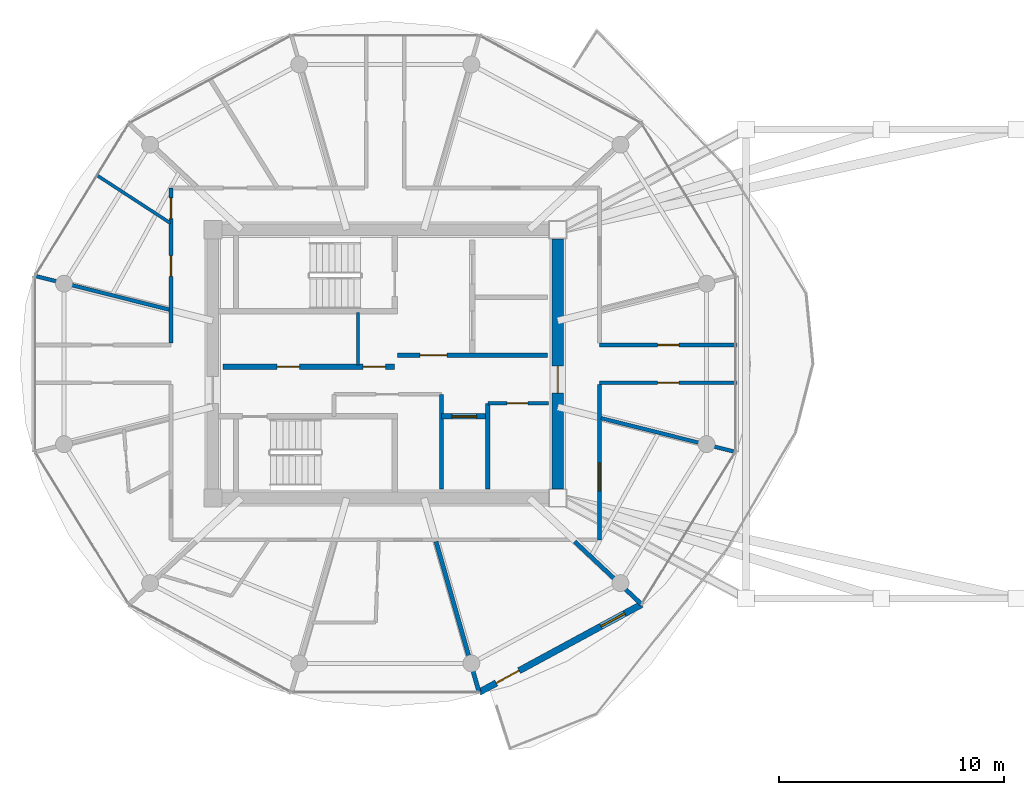
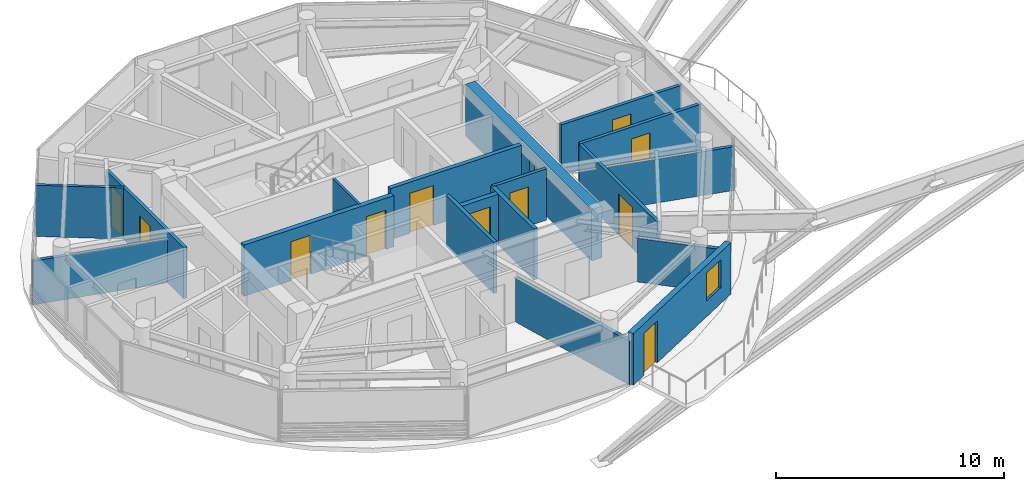
# One storey, part 14 of 23: 18 walls, 12 doors, 1 window, 13 openings.
"""IFC4 building model written with IfcOpenShell, lengths in metres."""

from ifc_helpers import new_model, si_unit, direction, frame, frame_2d, origin, place, context, subcontext, project, spatial, rectangle, extrude, source, transform, mapped, material, layer, layer_set, type_object, type_shapes, element, fill, save


model = new_model("IFC4")

# Units and contexts
model_context = context("Model", 3, precision=1e-05, world=origin(), true_north=direction((0.0, 1.0)))
body_context = subcontext(model_context, "Body", "Model", "MODEL_VIEW")
ifc_project = project(units=[si_unit("LENGTHUNIT", "METRE"), si_unit("AREAUNIT", "SQUARE_METRE"), si_unit("VOLUMEUNIT", "CUBIC_METRE"), si_unit("PLANEANGLEUNIT", "RADIAN"), si_unit("MASSUNIT", "GRAM", prefix="KILO")], contexts=[model_context])

# Site, building, storey
site_placement = place(None, origin())
site = spatial("IfcSite", under=ifc_project, at=site_placement, CompositionType="ELEMENT")
building_placement = place(site_placement, origin())
building = spatial("IfcBuilding", under=site, at=building_placement, Name="Norrkilde Senior Care Towers", CompositionType="ELEMENT")
storey_placement = place(building_placement, frame((0.0, 0.0, 196.75)))
storey = spatial("IfcBuildingStorey", under=building, at=storey_placement, Name="L61", CompositionType="ELEMENT", Elevation=196.75)

# Wall, opening, door
ifc_material_1 = material(Name="Concrete C50/60", Category="concrete")
ifc_layer_1 = layer(ifc_material_1, 0.52001953125)
ifc_layer_set_1 = layer_set([ifc_layer_1], Name="Concrete C50/60")
wall_type_1 = type_object("IfcWallType", Name="Core Shear Wall Z4 520", PredefinedType="SHEAR", material=ifc_layer_set_1)
shared_shape_1 = source(origin(), body_context, "Body", "SweptSolid", [
    extrude(rectangle(XDim=11.10009765625, YDim=0.52001953125, at=frame_2d((5.550048828125, 0.0))), origin(), (0.0, 0.0, 1.0), 2.760009765625),
])
type_shapes(wall_type_1, [shared_shape_1])
wall_1_placement = place(storey_placement, frame((-20.35009765625, 5.550048828125, 0.0), z_axis=(0.0, 0.0, 1.0), x_axis=(0.0, -1.0, 0.0)))
wall_1 = element("IfcWall", 1, at=wall_1_placement, inside=storey, type_object=wall_type_1, Name="L61 Core W East Shear Wall", PredefinedType="SHEAR", context=body_context, shape_type="MappedRepresentation", body=[
    mapped(shared_shape_1, transform((0.0, 0.0, 0.0), x_axis=(1.0, 0.0, 0.0), y_axis=(0.0, 1.0, 0.0), z_axis=(0.0, 0.0, 1.0), scale=1.0)),
])
opening_1_placement = place(wall_1_placement, frame((5.64990234375, 0.0, 0.0)))
opening_1 = element("IfcOpeningElement", 2, at=opening_1_placement, cuts=wall_1, Name="Opening D-04", PredefinedType="OPENING", context=body_context, shape_type="SweptSolid", body=[
    extrude(rectangle(XDim=1.199951171875, YDim=2.14990234375, at=frame_2d((0.60009765625, 1.074951171875))), frame((0.0, 0.27001953125, 0.0), z_axis=(0.0, -1.0, 0.0), x_axis=(1.0, 0.0, 0.0)), (0.0, 0.0, 1.0), 0.5400390625),
])
ifc_material_2 = material(Name="Galvanised Painted Steel", Category="steel")
door_type_1 = type_object("IfcDoorType", Name="Firefighting Lobby Fire Door 1200x2150", OperationType="NOTDEFINED", PredefinedType="DOOR", material=ifc_material_2)
shared_shape_2 = source(origin(), body_context, "Body", "SweptSolid", [
    extrude(rectangle(XDim=1.199951171875, YDim=2.14990234375, at=frame_2d((0.60009765625, 1.074951171875))), frame((0.0, 0.02490234375, 0.0), z_axis=(0.0, -1.0, 0.0), x_axis=(1.0, 0.0, 0.0)), (0.0, 0.0, 1.0), 0.050048828125),
])
type_shapes(door_type_1, [shared_shape_2])
door_1_placement = place(opening_1_placement, frame((1.199951171875, 0.0, 0.0), z_axis=(0.0, 0.0, 1.0), x_axis=(-1.0, 0.0, 0.0)))
door_1 = element("IfcDoor", 3, at=door_1_placement, inside=storey, type_object=door_type_1, Name="L61 Core W East Portal Door", OperationType="SINGLE_SWING_RIGHT", OverallHeight=2.14990234375, OverallWidth=1.199951171875, PredefinedType="DOOR", context=body_context, shape_type="MappedRepresentation", body=[
    mapped(shared_shape_2, transform((0.0, 0.0, 0.0), x_axis=(1.0, 0.0, 0.0), y_axis=(0.0, 1.0, 0.0), z_axis=(0.0, 0.0, 1.0), scale=1.0)),
])
fill(opening_1, door_1)

# Wall, openings, door, window
ifc_material_3 = material(Name="Precast concrete C45/55", Category="concrete")
ifc_layer_2 = layer(ifc_material_3, 0.2900390625)
ifc_layer_set_2 = layer_set([ifc_layer_2], Name="Precast concrete C45/55")
wall_type_2 = type_object("IfcWallType", Name="Winter Garden Facade Wall 290", PredefinedType="SOLIDWALL", material=ifc_layer_set_2)
shared_shape_3 = source(origin(), body_context, "Body", "SweptSolid", [
    extrude(rectangle(XDim=8.197265625, YDim=0.2900390625, at=frame_2d((4.0986328125, 0.0))), origin(), (0.0, 0.0, 1.0), 2.760009765625),
])
type_shapes(wall_type_2, [shared_shape_3])
wall_2_placement = place(storey_placement, frame((-16.629638671875, -10.6630859375, 0.0), z_axis=(0.0, 0.0, 1.0), x_axis=(-0.879369910001, -0.476139224791, 0.0)))
wall_2 = element("IfcWall", 4, at=wall_2_placement, inside=storey, type_object=wall_type_2, Name="L61 Drum W Balcony Access Wall 09", PredefinedType="SOLIDWALL", context=body_context, shape_type="MappedRepresentation", body=[
    mapped(shared_shape_3, transform((0.0, 0.0, 0.0), x_axis=(1.0, 0.0, 0.0), y_axis=(0.0, 1.0, 0.0), z_axis=(0.0, 0.0, 1.0), scale=1.0)),
])
opening_2_placement = place(wall_2_placement, frame((6.179931640625, 0.0, 0.0)))
opening_2 = element("IfcOpeningElement", 5, at=opening_2_placement, cuts=wall_2, Name="Opening D-09", PredefinedType="OPENING", context=body_context, shape_type="SweptSolid", body=[
    extrude(rectangle(XDim=1.14990234375, YDim=2.25, at=frame_2d((0.574951171875, 1.125))), frame((0.0, 0.155029296875, 0.0), z_axis=(0.0, -1.0, 0.0), x_axis=(1.0, 0.0, 0.0)), (0.0, 0.0, 1.0), 0.31005859375),
])
opening_3_placement = place(wall_2_placement, frame((0.85009765625, 0.0, 0.85009765625)))
opening_3 = element("IfcOpeningElement", 6, at=opening_3_placement, cuts=wall_2, Name="Opening WN-07", PredefinedType="OPENING", context=body_context, shape_type="SweptSolid", body=[
    extrude(rectangle(XDim=1.199951171875, YDim=1.5, at=frame_2d((0.60009765625, 0.75))), frame((0.0, 0.155029296875, 0.0), z_axis=(0.0, -1.0, 0.0), x_axis=(1.0, 0.0, 0.0)), (0.0, 0.0, 1.0), 0.31005859375),
])
ifc_material_4 = material(Name="Anodised Aluminium", Category="aluminium")
door_type_2 = type_object("IfcDoorType", Name="Terrace and Balcony Glazed Door 1150x2250", OperationType="NOTDEFINED", PredefinedType="DOOR", material=ifc_material_4)
shared_shape_4 = source(origin(), body_context, "Body", "SweptSolid", [
    extrude(rectangle(XDim=1.14990234375, YDim=2.25, at=frame_2d((0.574951171875, 1.125))), frame((0.0, 0.02490234375, 0.0), z_axis=(0.0, -1.0, 0.0), x_axis=(1.0, 0.0, 0.0)), (0.0, 0.0, 1.0), 0.050048828125),
])
type_shapes(door_type_2, [shared_shape_4])
door_2_placement = place(opening_2_placement, origin())
door_2 = element("IfcDoor", 7, at=door_2_placement, inside=storey, type_object=door_type_2, Name="L61 Drum W Outdoor Terrace Door 09", OperationType="SINGLE_SWING_RIGHT", OverallHeight=2.25, OverallWidth=1.14990234375, PredefinedType="DOOR", context=body_context, shape_type="MappedRepresentation", body=[
    mapped(shared_shape_4, transform((0.0, 0.0, 0.0), x_axis=(1.0, 0.0, 0.0), y_axis=(0.0, 1.0, 0.0), z_axis=(0.0, 0.0, 1.0), scale=1.0)),
])
fill(opening_2, door_2)
ifc_material_5 = material(Name="Triple Low-E Insulated Glazing", Category="glass")
window_type = type_object("IfcWindowType", Name="Stairwell Smoke Vent Window 1200x1500", PartitioningType="SINGLE_PANEL", PredefinedType="WINDOW", material=ifc_material_5)
shared_shape_5 = source(origin(), body_context, "Body", "SweptSolid", [
    extrude(rectangle(XDim=1.199951171875, YDim=1.5, at=frame_2d((0.60009765625, 0.75))), frame((0.0, 0.030029296875, 0.0), z_axis=(0.0, -1.0, 0.0), x_axis=(1.0, 0.0, 0.0)), (0.0, 0.0, 1.0), 0.06005859375),
])
type_shapes(window_type, [shared_shape_5])
window_placement = place(opening_3_placement, origin())
window = element("IfcWindow", 8, at=window_placement, inside=storey, type_object=window_type, Name="L61 Drum W Winter Garden Window 09", OverallHeight=1.5, OverallWidth=1.199951171875, PartitioningType="SINGLE_PANEL", PredefinedType="WINDOW", context=body_context, shape_type="MappedRepresentation", body=[
    mapped(shared_shape_5, transform((0.0, 0.0, 0.0), x_axis=(1.0, 0.0, 0.0), y_axis=(0.0, 1.0, 0.0), z_axis=(0.0, 0.0, 1.0), scale=1.0)),
])
fill(opening_3, window)

# Wall, opening, door
ifc_material_6 = material(Name="Concrete C45/55", Category="concrete")
ifc_layer_3 = layer(ifc_material_6, 0.2099609375)
ifc_layer_set_3 = layer_set([ifc_layer_3], Name="Concrete C45/55")
wall_type_3 = type_object("IfcWallType", Name="Firefighting Lobby Wall 210", PredefinedType="PARTITIONING", material=ifc_layer_set_3)
shared_shape_6 = source(origin(), body_context, "Body", "SweptSolid", [
    extrude(rectangle(XDim=6.659912109375, YDim=0.2099609375, at=frame_2d((3.330078125, 0.0))), origin(), (0.0, 0.0, 1.0), 2.7451171875),
])
type_shapes(wall_type_3, [shared_shape_6])
wall_3_placement = place(storey_placement, frame((-27.4599609375, 0.389892578125, 0.0), z_axis=(0.0, 0.0, 1.0), x_axis=(1.0, 0.0, 0.0)))
wall_3 = element("IfcWall", 9, at=wall_3_placement, inside=storey, type_object=wall_type_3, Name="WL-INT-L61-W-FFLS", PredefinedType="PARTITIONING", context=body_context, shape_type="MappedRepresentation", body=[
    mapped(shared_shape_6, transform((0.0, 0.0, 0.0), x_axis=(1.0, 0.0, 0.0), y_axis=(0.0, 1.0, 0.0), z_axis=(0.0, 0.0, 1.0), scale=1.0)),
])
opening_4_placement = place(wall_3_placement, frame((1.0, 0.0, 0.0)))
opening_4 = element("IfcOpeningElement", 10, at=opening_4_placement, cuts=wall_3, Name="Opening D-04", PredefinedType="OPENING", context=body_context, shape_type="SweptSolid", body=[
    extrude(rectangle(XDim=1.199951171875, YDim=2.14990234375, at=frame_2d((0.60009765625, 1.074951171875))), frame((0.0, 0.114990234375, 0.0), z_axis=(0.0, -1.0, 0.0), x_axis=(1.0, 0.0, 0.0)), (0.0, 0.0, 1.0), 0.22998046875),
])
door_3_placement = place(opening_4_placement, frame((1.199951171875, 0.0, 0.0), z_axis=(0.0, 0.0, 1.0), x_axis=(-1.0, 0.0, 0.0)))
door_3 = element("IfcDoor", 11, at=door_3_placement, inside=storey, type_object=door_type_1, Name="L61 Firefighting Lobby W Door", OperationType="SINGLE_SWING_LEFT", OverallHeight=2.14990234375, OverallWidth=1.199951171875, PredefinedType="DOOR", context=body_context, shape_type="MappedRepresentation", body=[
    mapped(shared_shape_2, transform((0.0, 0.0, 0.0), x_axis=(1.0, 0.0, 0.0), y_axis=(0.0, 1.0, 0.0), z_axis=(0.0, 0.0, 1.0), scale=1.0)),
])
fill(opening_4, door_3)

# Wall, openings, doors
ifc_layer_4 = layer(ifc_material_6, 0.239990234375)
ifc_layer_set_4 = layer_set([ifc_layer_4], Name="Concrete C45/55")
wall_type_4 = type_object("IfcWallType", Name="Lift and Plant Rated Enclosure Partition 240", PredefinedType="PARTITIONING", material=ifc_layer_set_4)
shared_shape_7 = source(origin(), body_context, "Body", "SweptSolid", [
    extrude(rectangle(XDim=7.619873046875, YDim=0.239990234375, at=frame_2d((3.81005859375, 0.0))), origin(), (0.0, 0.0, 1.0), 2.7451171875),
])
wall_4_placement = place(storey_placement, frame((-35.199951171875, -0.1298828125, 0.0), z_axis=(0.0, 0.0, 1.0), x_axis=(1.0, 0.0, 0.0)))
wall_4 = element("IfcWall", 12, at=wall_4_placement, inside=storey, type_object=wall_type_4, Name="WL-INT-L61-W-PKAS", PredefinedType="PARTITIONING", context=body_context, shape_type="MappedRepresentation", body=[
    mapped(shared_shape_7, transform((0.0, 0.0, 0.0), x_axis=(1.0, 0.0, 0.0), y_axis=(0.0, 1.0, 0.0), z_axis=(0.0, 0.0, 1.0), scale=1.0)),
])
opening_5_placement = place(wall_4_placement, frame((6.219970703125, 0.0, 0.0)))
opening_5 = element("IfcOpeningElement", 13, at=opening_5_placement, cuts=wall_4, Name="Opening D-10", PredefinedType="OPENING", context=body_context, shape_type="SweptSolid", body=[
    extrude(rectangle(XDim=1.0, YDim=2.10009765625, at=frame_2d((0.5, 1.050048828125))), frame((0.0, 0.1298828125, 0.0), z_axis=(0.0, -1.0, 0.0), x_axis=(1.0, 0.0, 0.0)), (0.0, 0.0, 1.0), 0.260009765625),
])
opening_6_placement = place(wall_4_placement, frame((2.39990234375, 0.0, 0.0)))
opening_6 = element("IfcOpeningElement", 14, at=opening_6_placement, cuts=wall_4, Name="Opening D-10", PredefinedType="OPENING", context=body_context, shape_type="SweptSolid", body=[
    extrude(rectangle(XDim=1.0, YDim=2.10009765625, at=frame_2d((0.5, 1.050048828125))), frame((0.0, 0.1298828125, 0.0), z_axis=(0.0, -1.0, 0.0), x_axis=(1.0, 0.0, 0.0)), (0.0, 0.0, 1.0), 0.260009765625),
])
door_type_3 = type_object("IfcDoorType", Name="Plant and Riser Rated Door 1000x2100", OperationType="NOTDEFINED", PredefinedType="DOOR", material=ifc_material_2)
shared_shape_8 = source(origin(), body_context, "Body", "SweptSolid", [
    extrude(rectangle(XDim=1.0, YDim=2.10009765625, at=frame_2d((0.5, 1.050048828125))), frame((0.0, 0.02490234375, 0.0), z_axis=(0.0, -1.0, 0.0), x_axis=(1.0, 0.0, 0.0)), (0.0, 0.0, 1.0), 0.050048828125),
])
type_shapes(door_type_3, [shared_shape_8])
door_4_placement = place(opening_5_placement, frame((1.0, 0.0, 0.0), z_axis=(0.0, 0.0, 1.0), x_axis=(-1.0, 0.0, 0.0)))
door_4 = element("IfcDoor", 15, at=door_4_placement, inside=storey, type_object=door_type_3, Name="L61 Electrical Riser W Door", OperationType="SINGLE_SWING_LEFT", OverallHeight=2.10009765625, OverallWidth=1.0, PredefinedType="DOOR", context=body_context, shape_type="MappedRepresentation", body=[
    mapped(shared_shape_8, transform((0.0, 0.0, 0.0), x_axis=(1.0, 0.0, 0.0), y_axis=(0.0, 1.0, 0.0), z_axis=(0.0, 0.0, 1.0), scale=1.0)),
])
fill(opening_5, door_4)
door_5_placement = place(opening_6_placement, frame((1.0, 0.0, 0.0), z_axis=(0.0, 0.0, 1.0), x_axis=(-1.0, 0.0, 0.0)))
door_5 = element("IfcDoor", 16, at=door_5_placement, inside=storey, type_object=door_type_3, Name="L61 Clean Supply Store W Door", OperationType="SINGLE_SWING_LEFT", OverallHeight=2.10009765625, OverallWidth=1.0, PredefinedType="DOOR", context=body_context, shape_type="MappedRepresentation", body=[
    mapped(shared_shape_8, transform((0.0, 0.0, 0.0), x_axis=(1.0, 0.0, 0.0), y_axis=(0.0, 1.0, 0.0), z_axis=(0.0, 0.0, 1.0), scale=1.0)),
])
fill(opening_6, door_5)

# Walls
ifc_material_7 = material(Name="Gypsum Acoustic Board")
ifc_layer_5 = layer(ifc_material_7, 0.114990234375)
ifc_layer_set_5 = layer_set([ifc_layer_5], Name="Gypsum Acoustic Board")
wall_type_5 = type_object("IfcWallType", Name="Internal Room Partition 115", PredefinedType="PARTITIONING", material=ifc_layer_set_5)
shared_shape_9 = source(origin(), body_context, "Body", "SweptSolid", [
    extrude(rectangle(XDim=2.330078125, YDim=0.114990234375, at=frame_2d((1.1650390625, 0.0))), origin(), (0.0, 0.0, 1.0), 2.7451171875),
])
type_shapes(wall_type_5, [shared_shape_9])
wall_5_placement = place(storey_placement, frame((-29.2099609375, -0.050048828125, 0.0), z_axis=(0.0, 0.0, 1.0), x_axis=(0.0, 1.0, 0.0)))
element("IfcWall", 17, at=wall_5_placement, inside=storey, type_object=wall_type_5, Name="WL-INT-L61-W-RISW", PredefinedType="PARTITIONING", context=body_context, shape_type="MappedRepresentation", body=[
    mapped(shared_shape_9, transform((0.0, 0.0, 0.0), x_axis=(1.0, 0.0, 0.0), y_axis=(0.0, 1.0, 0.0), z_axis=(0.0, 0.0, 1.0), scale=1.0)),
])
ifc_layer_6 = layer(ifc_material_6, 0.199951171875)
ifc_layer_set_6 = layer_set([ifc_layer_6], Name="Concrete C45/55")
wall_type_6 = type_object("IfcWallType", Name="Shaft Division and Plant Partition 200", PredefinedType="PARTITIONING", material=ifc_layer_set_6)
shared_shape_10 = source(origin(), body_context, "Body", "SweptSolid", [
    extrude(rectangle(XDim=3.800048828125, YDim=0.199951171875, at=frame_2d((1.89990234375, 0.0))), origin(), (0.0, 0.0, 1.0), 2.7451171875),
])
type_shapes(wall_type_6, [shared_shape_10])
wall_6_placement = place(storey_placement, frame((-23.449951171875, -5.550048828125, 0.0), z_axis=(0.0, 0.0, 1.0), x_axis=(0.0, 1.0, 0.0)))
element("IfcWall", 18, at=wall_6_placement, inside=storey, type_object=wall_type_6, Name="WL-INT-L61-W-PKBE", PredefinedType="PARTITIONING", context=body_context, shape_type="MappedRepresentation", body=[
    mapped(shared_shape_10, transform((0.0, 0.0, 0.0), x_axis=(1.0, 0.0, 0.0), y_axis=(0.0, 1.0, 0.0), z_axis=(0.0, 0.0, 1.0), scale=1.0)),
])

# Wall, opening, door
shared_shape_11 = source(origin(), body_context, "Body", "SweptSolid", [
    extrude(rectangle(XDim=2.050048828125, YDim=0.239990234375, at=frame_2d((1.02490234375, 0.0))), origin(), (0.0, 0.0, 1.0), 2.7451171875),
])
type_shapes(wall_type_4, [shared_shape_7, shared_shape_11])
wall_7_placement = place(storey_placement, frame((-25.5, -2.330078125, 0.0), z_axis=(0.0, 0.0, 1.0), x_axis=(1.0, 0.0, 0.0)))
wall_7 = element("IfcWall", 19, at=wall_7_placement, inside=storey, type_object=wall_type_4, Name="WL-INT-L61-W-PL4N", PredefinedType="PARTITIONING", context=body_context, shape_type="MappedRepresentation", body=[
    mapped(shared_shape_11, transform((0.0, 0.0, 0.0), x_axis=(1.0, 0.0, 0.0), y_axis=(0.0, 1.0, 0.0), z_axis=(0.0, 0.0, 1.0), scale=1.0)),
])
opening_7_placement = place(wall_7_placement, frame((0.449951171875, 0.0, 0.0)))
opening_7 = element("IfcOpeningElement", 20, at=opening_7_placement, cuts=wall_7, Name="Opening LD-01", PredefinedType="OPENING", context=body_context, shape_type="SweptSolid", body=[
    extrude(rectangle(XDim=1.10009765625, YDim=2.199951171875, at=frame_2d((0.550048828125, 1.10009765625))), frame((0.0, 0.1298828125, 0.0), z_axis=(0.0, -1.0, 0.0), x_axis=(1.0, 0.0, 0.0)), (0.0, 0.0, 1.0), 0.260009765625),
])
ifc_material_8 = material(Name="Stainless Steel", Category="steel")
door_type_4 = type_object("IfcDoorType", Name="Lift Landing Sliding Door 1100x2200", OperationType="NOTDEFINED", PredefinedType="DOOR", material=ifc_material_8)
shared_shape_12 = source(origin(), body_context, "Body", "SweptSolid", [
    extrude(rectangle(XDim=1.10009765625, YDim=2.199951171875, at=frame_2d((0.550048828125, 1.10009765625))), frame((0.0, 0.02490234375, 0.0), z_axis=(0.0, -1.0, 0.0), x_axis=(1.0, 0.0, 0.0)), (0.0, 0.0, 1.0), 0.050048828125),
])
type_shapes(door_type_4, [shared_shape_12])
door_6_placement = place(opening_7_placement, frame((1.10009765625, 0.0, 0.0), z_axis=(0.0, 0.0, 1.0), x_axis=(-1.0, 0.0, 0.0)))
door_6 = element("IfcDoor", 21, at=door_6_placement, inside=storey, type_object=door_type_4, Name="L61 Passenger Lift W4 Landing Door", OperationType="SLIDING_TO_RIGHT", OverallHeight=2.199951171875, OverallWidth=1.10009765625, PredefinedType="DOOR", context=body_context, shape_type="MappedRepresentation", body=[
    mapped(shared_shape_12, transform((0.0, 0.0, 0.0), x_axis=(1.0, 0.0, 0.0), y_axis=(0.0, 1.0, 0.0), z_axis=(0.0, 0.0, 1.0), scale=1.0)),
])
fill(opening_7, door_6)

# Wall
ifc_layer_7 = layer(ifc_material_6, 0.179931640625)
ifc_layer_set_7 = layer_set([ifc_layer_7], Name="Concrete C45/55")
wall_type_7 = type_object("IfcWallType", Name="Hoistway Division Rated Partition 180", PredefinedType="PARTITIONING", material=ifc_layer_set_7)
shared_shape_13 = source(origin(), body_context, "Body", "SweptSolid", [
    extrude(rectangle(XDim=4.199951171875, YDim=0.179931640625, at=frame_2d((2.10009765625, 0.0))), origin(), (0.0, 0.0, 1.0), 2.7451171875),
])
type_shapes(wall_type_7, [shared_shape_13])
wall_8_placement = place(storey_placement, frame((-25.5, -5.550048828125, 0.0), z_axis=(0.0, 0.0, 1.0), x_axis=(0.0, 1.0, 0.0)))
element("IfcWall", 22, at=wall_8_placement, inside=storey, type_object=wall_type_7, Name="WL-INT-L61-W-PL4W", PredefinedType="PARTITIONING", context=body_context, shape_type="MappedRepresentation", body=[
    mapped(shared_shape_13, transform((0.0, 0.0, 0.0), x_axis=(1.0, 0.0, 0.0), y_axis=(0.0, 1.0, 0.0), z_axis=(0.0, 0.0, 1.0), scale=1.0)),
])

# Wall, opening, door
ifc_layer_8 = layer(ifc_material_7, 0.1650390625)
ifc_layer_set_8 = layer_set([ifc_layer_8], Name="Gypsum Acoustic Board")
wall_type_8 = type_object("IfcWallType", Name="Corridor Rated Partition 165", PredefinedType="PARTITIONING", material=ifc_layer_set_8)
shared_shape_14 = source(origin(), body_context, "Body", "SweptSolid", [
    extrude(rectangle(XDim=2.699951171875, YDim=0.1650390625, at=frame_2d((1.35009765625, 0.0))), origin(), (0.0, 0.0, 1.0), 2.7451171875),
])
wall_9_placement = place(storey_placement, frame((-23.449951171875, -1.75, 0.0), z_axis=(0.0, 0.0, 1.0), x_axis=(1.0, 0.0, 0.0)))
wall_9 = element("IfcWall", 23, at=wall_9_placement, inside=storey, type_object=wall_type_8, Name="WL-INT-L61-W-CSN", PredefinedType="PARTITIONING", context=body_context, shape_type="MappedRepresentation", body=[
    mapped(shared_shape_14, transform((0.0, 0.0, 0.0), x_axis=(1.0, 0.0, 0.0), y_axis=(0.0, 1.0, 0.0), z_axis=(0.0, 0.0, 1.0), scale=1.0)),
])
opening_8_placement = place(wall_9_placement, frame((0.85009765625, 0.0, 0.0)))
opening_8 = element("IfcOpeningElement", 24, at=opening_8_placement, cuts=wall_9, Name="Opening D-12", PredefinedType="OPENING", context=body_context, shape_type="SweptSolid", body=[
    extrude(rectangle(XDim=0.925048828125, YDim=2.10009765625, at=frame_2d((0.46240234375, 1.050048828125))), frame((0.0, 0.092529296875, 0.0), z_axis=(0.0, -1.0, 0.0), x_axis=(1.0, 0.0, 0.0)), (0.0, 0.0, 1.0), 0.18505859375),
])
door_type_5 = type_object("IfcDoorType", Name="Core Wet Room Rated Door 925x2100", OperationType="NOTDEFINED", PredefinedType="DOOR", material=ifc_material_2)
shared_shape_15 = source(origin(), body_context, "Body", "SweptSolid", [
    extrude(rectangle(XDim=0.925048828125, YDim=2.10009765625, at=frame_2d((0.46240234375, 1.050048828125))), frame((0.0, 0.02490234375, 0.0), z_axis=(0.0, -1.0, 0.0), x_axis=(1.0, 0.0, 0.0)), (0.0, 0.0, 1.0), 0.050048828125),
])
type_shapes(door_type_5, [shared_shape_15])
door_7_placement = place(opening_8_placement, origin())
door_7 = element("IfcDoor", 25, at=door_7_placement, inside=storey, type_object=door_type_5, Name="L61 Core Utility W Door", OperationType="SINGLE_SWING_LEFT", OverallHeight=2.10009765625, OverallWidth=0.925048828125, PredefinedType="DOOR", context=body_context, shape_type="MappedRepresentation", body=[
    mapped(shared_shape_15, transform((0.0, 0.0, 0.0), x_axis=(1.0, 0.0, 0.0), y_axis=(0.0, 1.0, 0.0), z_axis=(0.0, 0.0, 1.0), scale=1.0)),
])
fill(opening_8, door_7)

# Wall, openings, doors
shared_shape_16 = source(origin(), body_context, "Body", "SweptSolid", [
    extrude(rectangle(XDim=6.880126953125, YDim=0.1650390625, at=frame_2d((3.43994140625, 0.0))), origin(), (0.0, 0.0, 1.0), 2.7451171875),
])
wall_10_placement = place(storey_placement, frame((-37.5, 0.919921875, 0.0), z_axis=(0.0, 0.0, 1.0), x_axis=(0.0, 1.0, 0.0)))
wall_10 = element("IfcWall", 26, at=wall_10_placement, inside=storey, type_object=wall_type_8, Name="WL-INT-L61-W-CRW-W-1", PredefinedType="PARTITIONING", context=body_context, shape_type="MappedRepresentation", body=[
    mapped(shared_shape_16, transform((0.0, 0.0, 0.0), x_axis=(1.0, 0.0, 0.0), y_axis=(0.0, 1.0, 0.0), z_axis=(0.0, 0.0, 1.0), scale=1.0)),
])
opening_9_placement = place(wall_10_placement, frame((5.525146484375, 0.0, 0.0)))
opening_9 = element("IfcOpeningElement", 27, at=opening_9_placement, cuts=wall_10, Name="Opening D-08", PredefinedType="OPENING", context=body_context, shape_type="SweptSolid", body=[
    extrude(rectangle(XDim=0.919921875, YDim=2.10009765625, at=frame_2d((0.4599609375, 1.050048828125))), frame((0.0, 0.092529296875, 0.0), z_axis=(0.0, -1.0, 0.0), x_axis=(1.0, 0.0, 0.0)), (0.0, 0.0, 1.0), 0.18505859375),
])
opening_10_placement = place(wall_10_placement, frame((2.96240234375, 0.0, 0.0)))
opening_10 = element("IfcOpeningElement", 28, at=opening_10_placement, cuts=wall_10, Name="Opening D-08", PredefinedType="OPENING", context=body_context, shape_type="SweptSolid", body=[
    extrude(rectangle(XDim=0.919921875, YDim=2.10009765625, at=frame_2d((0.4599609375, 1.050048828125))), frame((0.0, 0.092529296875, 0.0), z_axis=(0.0, -1.0, 0.0), x_axis=(1.0, 0.0, 0.0)), (0.0, 0.0, 1.0), 0.18505859375),
])
ifc_material_9 = material(Name="Nordic Ash Timber", Category="wood")
door_type_6 = type_object("IfcDoorType", Name="Accessible Wet Room Door 920x2100", OperationType="NOTDEFINED", PredefinedType="DOOR", material=ifc_material_9)
shared_shape_17 = source(origin(), body_context, "Body", "SweptSolid", [
    extrude(rectangle(XDim=0.919921875, YDim=2.10009765625, at=frame_2d((0.4599609375, 1.050048828125))), frame((0.0, 0.02490234375, 0.0), z_axis=(0.0, -1.0, 0.0), x_axis=(1.0, 0.0, 0.0)), (0.0, 0.0, 1.0), 0.050048828125),
])
type_shapes(door_type_6, [shared_shape_17])
door_8_placement = place(opening_9_placement, frame((0.919921875, 0.0, 0.0), z_axis=(0.0, 0.0, 1.0), x_axis=(-1.0, 0.0, 0.0)))
door_8 = element("IfcDoor", 29, at=door_8_placement, inside=storey, type_object=door_type_6, Name="L61 Accessible Restroom Door", OperationType="SINGLE_SWING_LEFT", OverallHeight=2.10009765625, OverallWidth=0.919921875, PredefinedType="DOOR", context=body_context, shape_type="MappedRepresentation", body=[
    mapped(shared_shape_17, transform((0.0, 0.0, 0.0), x_axis=(1.0, 0.0, 0.0), y_axis=(0.0, 1.0, 0.0), z_axis=(0.0, 0.0, 1.0), scale=1.0)),
])
fill(opening_9, door_8)
door_9_placement = place(opening_10_placement, frame((0.919921875, 0.0, 0.0), z_axis=(0.0, 0.0, 1.0), x_axis=(-1.0, 0.0, 0.0)))
door_9 = element("IfcDoor", 30, at=door_9_placement, inside=storey, type_object=door_type_6, Name="L61 Public Restroom Door", OperationType="SINGLE_SWING_RIGHT", OverallHeight=2.10009765625, OverallWidth=0.919921875, PredefinedType="DOOR", context=body_context, shape_type="MappedRepresentation", body=[
    mapped(shared_shape_17, transform((0.0, 0.0, 0.0), x_axis=(1.0, 0.0, 0.0), y_axis=(0.0, 1.0, 0.0), z_axis=(0.0, 0.0, 1.0), scale=1.0)),
])
fill(opening_10, door_9)

# Wall, opening, door
wall_11_placement = place(storey_placement, frame((-18.5, -0.919921875, 0.0), z_axis=(0.0, 0.0, 1.0), x_axis=(0.0, -1.0, 0.0)))
wall_11 = element("IfcWall", 31, at=wall_11_placement, inside=storey, type_object=wall_type_8, Name="WL-INT-L61-W-CRW-E-1", PredefinedType="PARTITIONING", context=body_context, shape_type="MappedRepresentation", body=[
    mapped(shared_shape_16, transform((0.0, 0.0, 0.0), x_axis=(1.0, 0.0, 0.0), y_axis=(0.0, 1.0, 0.0), z_axis=(0.0, 0.0, 1.0), scale=1.0)),
])
opening_11_placement = place(wall_11_placement, frame((3.46435546875, 0.0, 0.0)))
opening_11 = element("IfcOpeningElement", 32, at=opening_11_placement, cuts=wall_11, Name="Opening D-05", PredefinedType="OPENING", context=body_context, shape_type="SweptSolid", body=[
    extrude(rectangle(XDim=1.25, YDim=2.199951171875, at=frame_2d((0.625, 1.10009765625))), frame((0.0, 0.092529296875, 0.0), z_axis=(0.0, -1.0, 0.0), x_axis=(1.0, 0.0, 0.0)), (0.0, 0.0, 1.0), 0.18505859375),
])
door_type_7 = type_object("IfcDoorType", Name="Care Bedroom Bariatric Door 1250x2200", OperationType="NOTDEFINED", PredefinedType="DOOR", material=ifc_material_9)
shared_shape_18 = source(origin(), body_context, "Body", "SweptSolid", [
    extrude(rectangle(XDim=1.25, YDim=2.199951171875, at=frame_2d((0.625, 1.10009765625))), frame((0.0, 0.02490234375, 0.0), z_axis=(0.0, -1.0, 0.0), x_axis=(1.0, 0.0, 0.0)), (0.0, 0.0, 1.0), 0.050048828125),
])
type_shapes(door_type_7, [shared_shape_18])
door_10_placement = place(opening_11_placement, frame((1.25, 0.0, 0.0), z_axis=(0.0, 0.0, 1.0), x_axis=(-1.0, 0.0, 0.0)))
door_10 = element("IfcDoor", 33, at=door_10_placement, inside=storey, type_object=door_type_7, Name="L61 Care Coordination Charting Office Door", OperationType="SINGLE_SWING_LEFT", OverallHeight=2.199951171875, OverallWidth=1.25, PredefinedType="DOOR", context=body_context, shape_type="MappedRepresentation", body=[
    mapped(shared_shape_18, transform((0.0, 0.0, 0.0), x_axis=(1.0, 0.0, 0.0), y_axis=(0.0, 1.0, 0.0), z_axis=(0.0, 0.0, 1.0), scale=1.0)),
])
fill(opening_11, door_10)

# Walls
shared_shape_19 = source(origin(), body_context, "Body", "SweptSolid", [
    extrude(rectangle(XDim=6.1572265625, YDim=0.1650390625, at=frame_2d((3.07861328125, 0.0))), origin(), (0.0, 0.0, 1.0), 2.344970703125),
])
for number, where, z_axis, x_axis, name in (
    (34, (-37.580078125, 2.407470703125, 0.0), (0.0, 0.0, 1.0), (-0.969840867184, 0.243738984038, 0.0), "WL-INT-L61-W-DEM-05-0"),
    (35, (-18.419921875, -2.407470703125, 0.0), (0.0, 0.0, 1.0), (0.969840867184, -0.243738984038, 0.0), "WL-INT-L61-W-DEM-11-0"),
):
    element("IfcWall", number, at=place(storey_placement, frame(where, z_axis=z_axis, x_axis=x_axis)), inside=storey, type_object=wall_type_8, Name=name, PredefinedType="PARTITIONING", context=body_context, shape_type="MappedRepresentation", body=[
        mapped(shared_shape_19, transform((0.0, 0.0, 0.0), x_axis=(1.0, 0.0, 0.0), y_axis=(0.0, 1.0, 0.0), z_axis=(0.0, 0.0, 1.0), scale=1.0)),
    ])

# Wall, opening, door
shared_shape_20 = source(origin(), body_context, "Body", "SweptSolid", [
    extrude(rectangle(XDim=6.101318359375, YDim=0.1650390625, at=frame_2d((3.05078125, 0.0))), origin(), (0.0, 0.0, 1.0), 2.7451171875),
])
type_shapes(wall_type_8, [shared_shape_14, shared_shape_16, shared_shape_19, shared_shape_20])
wall_12_placement = place(storey_placement, frame((-18.5, 0.840087890625, 0.0), z_axis=(0.0, 0.0, 1.0), x_axis=(1.0, 0.0, 0.0)))
wall_12 = element("IfcWall", 36, at=wall_12_placement, inside=storey, type_object=wall_type_8, Name="WL-INT-L61-W-SPK-E1-0", PredefinedType="PARTITIONING", context=body_context, shape_type="MappedRepresentation", body=[
    mapped(shared_shape_20, transform((0.0, 0.0, 0.0), x_axis=(1.0, 0.0, 0.0), y_axis=(0.0, 1.0, 0.0), z_axis=(0.0, 0.0, 1.0), scale=1.0)),
])
opening_12_placement = place(wall_12_placement, frame((2.57568359375, 0.0, 0.0)))
opening_12 = element("IfcOpeningElement", 37, at=opening_12_placement, cuts=wall_12, Name="Opening D-07", PredefinedType="OPENING", context=body_context, shape_type="SweptSolid", body=[
    extrude(rectangle(XDim=0.949951171875, YDim=2.10009765625, at=frame_2d((0.47509765625, 1.050048828125))), frame((0.0, 0.092529296875, 0.0), z_axis=(0.0, -1.0, 0.0), x_axis=(1.0, 0.0, 0.0)), (0.0, 0.0, 1.0), 0.18505859375),
])
door_type_8 = type_object("IfcDoorType", Name="Internal Suite Bedroom Door 950x2100", OperationType="NOTDEFINED", PredefinedType="DOOR", material=ifc_material_9)
shared_shape_21 = source(origin(), body_context, "Body", "SweptSolid", [
    extrude(rectangle(XDim=0.949951171875, YDim=2.10009765625, at=frame_2d((0.47509765625, 1.050048828125))), frame((0.0, 0.02490234375, 0.0), z_axis=(0.0, -1.0, 0.0), x_axis=(1.0, 0.0, 0.0)), (0.0, 0.0, 1.0), 0.050048828125),
])
type_shapes(door_type_8, [shared_shape_21])
door_11_placement = place(opening_12_placement, frame((0.949951171875, 0.0, 0.0), z_axis=(0.0, 0.0, 1.0), x_axis=(-1.0, 0.0, 0.0)))
door_11 = element("IfcDoor", 38, at=door_11_placement, inside=storey, type_object=door_type_8, Name="L61 Sun Reading Lounge 6 Door", OperationType="SINGLE_SWING_LEFT", OverallHeight=2.10009765625, OverallWidth=0.949951171875, PredefinedType="DOOR", context=body_context, shape_type="MappedRepresentation", body=[
    mapped(shared_shape_21, transform((0.0, 0.0, 0.0), x_axis=(1.0, 0.0, 0.0), y_axis=(0.0, 1.0, 0.0), z_axis=(0.0, 0.0, 1.0), scale=1.0)),
])
fill(opening_12, door_11)

wall_13_placement = place(storey_placement, frame((-12.398681640625, -0.840087890625, 0.0), z_axis=(0.0, 0.0, 1.0), x_axis=(-1.0, 0.0, 0.0)))
wall_13 = element("IfcWall", 39, at=wall_13_placement, inside=storey, type_object=wall_type_8, Name="WL-INT-L61-W-SPK-E2-0", PredefinedType="PARTITIONING", context=body_context, shape_type="MappedRepresentation", body=[
    mapped(shared_shape_20, transform((0.0, 0.0, 0.0), x_axis=(1.0, 0.0, 0.0), y_axis=(0.0, 1.0, 0.0), z_axis=(0.0, 0.0, 1.0), scale=1.0)),
])
opening_13_placement = place(wall_13_placement, frame((2.57568359375, 0.0, 0.0)))
opening_13 = element("IfcOpeningElement", 40, at=opening_13_placement, cuts=wall_13, Name="Opening D-07", PredefinedType="OPENING", context=body_context, shape_type="SweptSolid", body=[
    extrude(rectangle(XDim=0.949951171875, YDim=2.10009765625, at=frame_2d((0.47509765625, 1.050048828125))), frame((0.0, 0.092529296875, 0.0), z_axis=(0.0, -1.0, 0.0), x_axis=(1.0, 0.0, 0.0)), (0.0, 0.0, 1.0), 0.18505859375),
])
door_12_placement = place(opening_13_placement, frame((0.949951171875, 0.0, 0.0), z_axis=(0.0, 0.0, 1.0), x_axis=(-1.0, 0.0, 0.0)))
door_12 = element("IfcDoor", 41, at=door_12_placement, inside=storey, type_object=door_type_8, Name="L61 Sun Reading Lounge 5 Door", OperationType="SINGLE_SWING_RIGHT", OverallHeight=2.10009765625, OverallWidth=0.949951171875, PredefinedType="DOOR", context=body_context, shape_type="MappedRepresentation", body=[
    mapped(shared_shape_21, transform((0.0, 0.0, 0.0), x_axis=(1.0, 0.0, 0.0), y_axis=(0.0, 1.0, 0.0), z_axis=(0.0, 0.0, 1.0), scale=1.0)),
])
fill(opening_13, door_12)

# Walls
ifc_layer_9 = layer(ifc_material_7, 0.18994140625)
ifc_layer_set_9 = layer_set([ifc_layer_9], Name="Gypsum Acoustic Board")
wall_type_9 = type_object("IfcWallType", Name="Unit Demising Acoustic Wall 190", PredefinedType="PARTITIONING", material=ifc_layer_set_9)
shared_shape_22 = source(origin(), body_context, "Body", "SweptSolid", [
    extrude(rectangle(XDim=4.089111328125, YDim=0.18994140625, at=frame_2d((2.04443359375, 0.0))), origin(), (0.0, 0.0, 1.0), 2.344970703125),
])
wall_14_placement = place(storey_placement, frame((-19.59814453125, -7.8798828125, 0.0), z_axis=(0.0, 0.0, 1.0), x_axis=(0.729401273609, -0.684086092577, 0.0)))
element("IfcWall", 42, at=wall_14_placement, inside=storey, type_object=wall_type_9, Name="WL-INT-L61-W-DEM-10-0", PredefinedType="PARTITIONING", context=body_context, shape_type="MappedRepresentation", body=[
    mapped(shared_shape_22, transform((0.0, 0.0, 0.0), x_axis=(1.0, 0.0, 0.0), y_axis=(0.0, 1.0, 0.0), z_axis=(0.0, 0.0, 1.0), scale=1.0)),
])
ifc_layer_10 = layer(ifc_material_7, 0.139892578125)
ifc_layer_set_10 = layer_set([ifc_layer_10], Name="Gypsum Acoustic Board")
wall_type_10 = type_object("IfcWallType", Name="En-suite Wet Room Wall 140", PredefinedType="PARTITIONING", material=ifc_layer_set_10)
shared_shape_23 = source(origin(), body_context, "Body", "SweptSolid", [
    extrude(rectangle(XDim=3.903564453125, YDim=0.139892578125, at=frame_2d((1.95166015625, 0.0))), origin(), (0.0, 0.0, 1.0), 2.7451171875),
])
type_shapes(wall_type_10, [shared_shape_23])
wall_15_placement = place(storey_placement, frame((-37.530029296875, 6.245849609375, 0.0), z_axis=(0.0, 0.0, 1.0), x_axis=(-0.838024687996, 0.545632314209, 0.0)))
element("IfcWall", 43, at=wall_15_placement, inside=storey, type_object=wall_type_10, Name="WL-INT-L61-W-MID-04", PredefinedType="PARTITIONING", context=body_context, shape_type="MappedRepresentation", body=[
    mapped(shared_shape_23, transform((0.0, 0.0, 0.0), x_axis=(1.0, 0.0, 0.0), y_axis=(0.0, 1.0, 0.0), z_axis=(0.0, 0.0, 1.0), scale=1.0)),
])
shared_shape_24 = source(origin(), body_context, "Body", "SweptSolid", [
    extrude(rectangle(XDim=6.973876953125, YDim=0.18994140625, at=frame_2d((3.48681640625, 0.0))), origin(), (0.0, 0.0, 1.0), 2.344970703125),
])
type_shapes(wall_type_9, [shared_shape_22, shared_shape_24])
wall_16_placement = place(storey_placement, frame((-25.748779296875, -7.8798828125, 0.0), z_axis=(0.0, 0.0, 1.0), x_axis=(0.274707256801, -0.961527910703, 0.0)))
element("IfcWall", 44, at=wall_16_placement, inside=storey, type_object=wall_type_9, Name="WL-INT-L61-W-DEM-09-0", PredefinedType="PARTITIONING", context=body_context, shape_type="MappedRepresentation", body=[
    mapped(shared_shape_24, transform((0.0, 0.0, 0.0), x_axis=(1.0, 0.0, 0.0), y_axis=(0.0, 1.0, 0.0), z_axis=(0.0, 0.0, 1.0), scale=1.0)),
])

save(model, "model.ifc")
